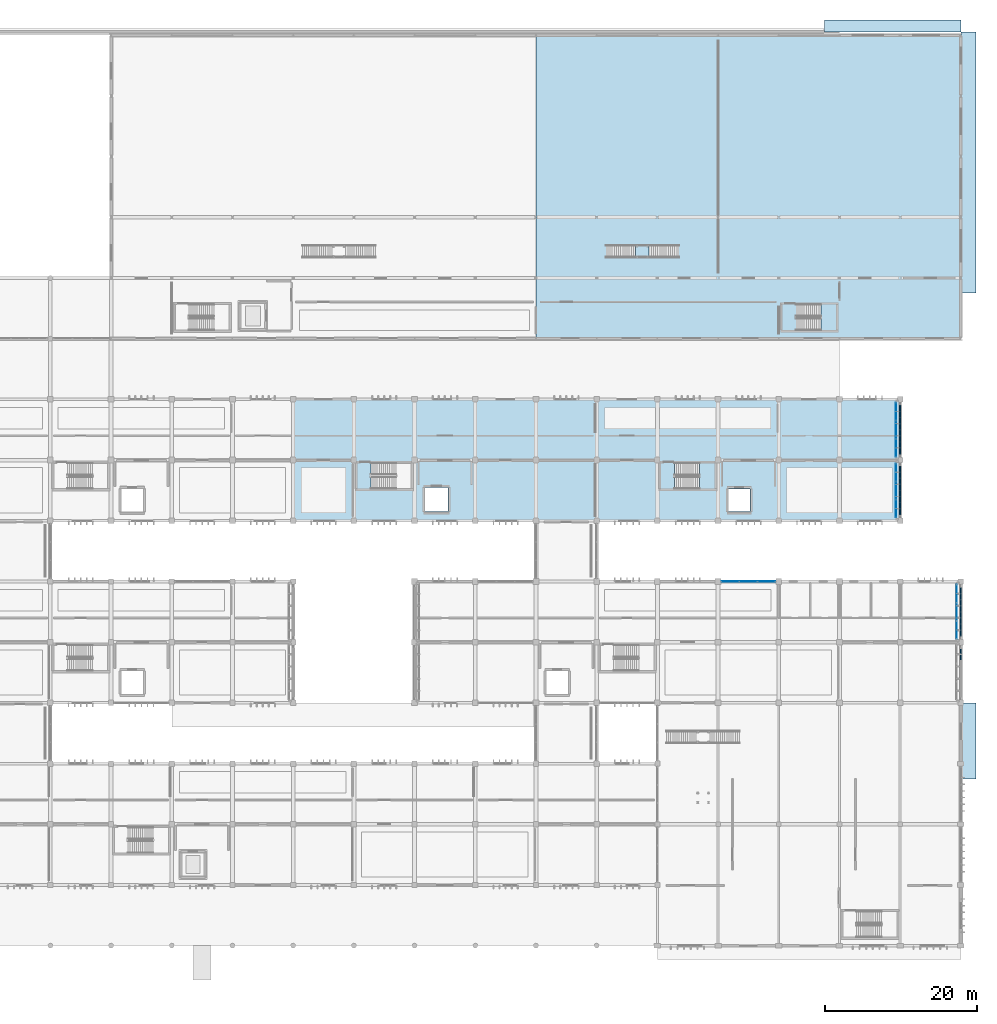
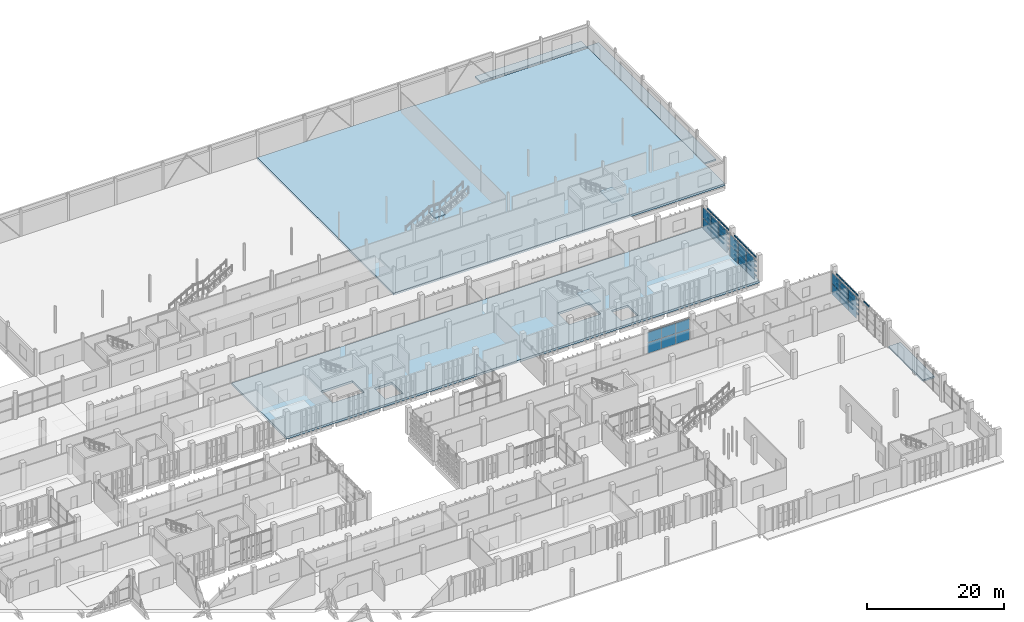
# One storey, part 81 of 117: 85 plates, 8 slabs, 7 elements without a shape of their own.
"""IFC4 building model written with IfcOpenShell, lengths in metres."""

from ifc_helpers import new_model, si_unit, direction, frame, origin, origin_2d, place, context, subcontext, project, spatial, polyline, rectangle, outline, extrude, material, layer, layer_set, type_object, element, aggregate, save


model = new_model("IFC4")

# Units and contexts
model_context = context("Model", 3, precision=1e-05, world=origin(), true_north=direction((0.0, 1.0)))
body_context = subcontext(model_context, "Body", "Model", "MODEL_VIEW")
ifc_project = project(units=[si_unit("LENGTHUNIT", "METRE"), si_unit("AREAUNIT", "SQUARE_METRE"), si_unit("VOLUMEUNIT", "CUBIC_METRE"), si_unit("PLANEANGLEUNIT", "RADIAN"), si_unit("MASSUNIT", "GRAM", prefix="KILO")], contexts=[model_context])

# Site, building, storey
site_placement = place(None, origin())
site = spatial("IfcSite", under=ifc_project, at=site_placement, CompositionType="ELEMENT")
building_placement = place(site_placement, origin())
building = spatial("IfcBuilding", under=site, at=building_placement, Name="Jelvoka-Kovrelna Polytechnic", CompositionType="ELEMENT")
storey_placement = place(building_placement, origin())
storey = spatial("IfcBuildingStorey", under=building, at=storey_placement, Name="L01", CompositionType="ELEMENT", Elevation=0.0)

# Curtain wall, plates
ifc_material_1 = material(Name="Anodised aluminium 6063-T6", Category="aluminium")
ifc_layer_1 = layer(ifc_material_1, 0.159912109375)
ifc_layer_set_1 = layer_set([ifc_layer_1], Name="Anodised aluminium 6063-T6")
curtain_wall_type_1 = type_object("IfcCurtainWallType", Name="CW_Recessed_A", PredefinedType="NOTDEFINED", material=ifc_layer_set_1)
curtain_wall_1_placement = place(storey_placement, origin())
curtain_wall_1 = element("IfcCurtainWall", 1, at=curtain_wall_1_placement, inside=storey, type_object=curtain_wall_type_1, Name="L01 glazed curtain wall 041", PredefinedType="NOTDEFINED")
ifc_material_2 = material(Name="Solar-control double glazing", Category="glass")
ifc_layer_2 = layer(ifc_material_2, 0.028076171875)
ifc_layer_set_2 = layer_set([ifc_layer_2], Name="Solar-control double glazing")
plate_type_1 = type_object("IfcPlateType", Name="Panel_GP-01", PredefinedType="CURTAIN_PANEL", material=ifc_layer_set_2)
plate_1_placement = place(storey_placement, frame((169.614990234375, 48.0, 0.052001953125), z_axis=(0.0, 0.0, 1.0), x_axis=(1.0, 0.0, 0.0)))
plate_1 = element("IfcPlate", 2, at=plate_1_placement, type_object=plate_type_1, Name="CW-01 panel 1.1", PredefinedType="CURTAIN_PANEL", context=body_context, shape_type="SweptSolid", body=[
    extrude(rectangle(XDim=2.326171875, YDim=0.028076171875, at=origin_2d()), origin(), (0.0, 0.0, 1.0), 1.881103515625),
])
plate_2_placement = place(storey_placement, frame((169.614990234375, 48.0, 1.976806640625), z_axis=(0.0, 0.0, 1.0), x_axis=(1.0, 0.0, 0.0)))
plate_2 = element("IfcPlate", 3, at=plate_2_placement, type_object=plate_type_1, Name="CW-01 panel 1.2", PredefinedType="CURTAIN_PANEL", context=body_context, shape_type="SweptSolid", body=[
    extrude(rectangle(XDim=2.326171875, YDim=0.028076171875, at=origin_2d()), origin(), (0.0, 0.0, 1.0), 1.881103515625),
])
plate_3_placement = place(storey_placement, frame((172.0, 48.0, 0.052001953125), z_axis=(0.0, 0.0, 1.0), x_axis=(1.0, 0.0, 0.0)))
plate_3 = element("IfcPlate", 4, at=plate_3_placement, type_object=plate_type_1, Name="CW-01 panel 2.1", PredefinedType="CURTAIN_PANEL", context=body_context, shape_type="SweptSolid", body=[
    extrude(rectangle(XDim=2.356201171875, YDim=0.028076171875, at=origin_2d()), origin(), (0.0, 0.0, 1.0), 1.881103515625),
])
plate_4_placement = place(storey_placement, frame((172.0, 48.0, 1.976806640625), z_axis=(0.0, 0.0, 1.0), x_axis=(1.0, 0.0, 0.0)))
plate_4 = element("IfcPlate", 5, at=plate_4_placement, type_object=plate_type_1, Name="CW-01 panel 2.2", PredefinedType="CURTAIN_PANEL", context=body_context, shape_type="SweptSolid", body=[
    extrude(rectangle(XDim=2.356201171875, YDim=0.028076171875, at=origin_2d()), origin(), (0.0, 0.0, 1.0), 1.881103515625),
])
plate_5_placement = place(storey_placement, frame((174.385009765625, 48.0, 0.052001953125), z_axis=(0.0, 0.0, 1.0), x_axis=(1.0, 0.0, 0.0)))
plate_5 = element("IfcPlate", 6, at=plate_5_placement, type_object=plate_type_1, Name="CW-01 panel 3.1", PredefinedType="CURTAIN_PANEL", context=body_context, shape_type="SweptSolid", body=[
    extrude(rectangle(XDim=2.326171875, YDim=0.028076171875, at=origin_2d()), origin(), (0.0, 0.0, 1.0), 1.881103515625),
])
plate_6_placement = place(storey_placement, frame((174.385009765625, 48.0, 1.976806640625), z_axis=(0.0, 0.0, 1.0), x_axis=(1.0, 0.0, 0.0)))
plate_6 = element("IfcPlate", 7, at=plate_6_placement, type_object=plate_type_1, Name="CW-01 panel 3.2", PredefinedType="CURTAIN_PANEL", context=body_context, shape_type="SweptSolid", body=[
    extrude(rectangle(XDim=2.326171875, YDim=0.028076171875, at=origin_2d()), origin(), (0.0, 0.0, 1.0), 1.881103515625),
])
aggregate(curtain_wall_1, [plate_1, plate_2, plate_3, plate_4, plate_5, plate_6])

curtain_wall_2_placement = place(storey_placement, origin())
curtain_wall_2 = element("IfcCurtainWall", 8, at=curtain_wall_2_placement, inside=storey, type_object=curtain_wall_type_1, Name="L01 glazed curtain wall 045", PredefinedType="NOTDEFINED")
plate_7_placement = place(storey_placement, frame((199.43994140625, 46.385009765625, 0.052001953125), z_axis=(0.0, 0.0, 1.0), x_axis=(0.0, -1.0, 0.0)))
plate_7 = element("IfcPlate", 9, at=plate_7_placement, type_object=plate_type_1, Name="CW-01 panel 1.1", PredefinedType="CURTAIN_PANEL", context=body_context, shape_type="SweptSolid", body=[
    extrude(rectangle(XDim=2.326171875, YDim=0.028076171875, at=origin_2d()), origin(), (0.0, 0.0, 1.0), 1.901123046875),
])
plate_8_placement = place(storey_placement, frame((199.43994140625, 46.385009765625, 1.996826171875), z_axis=(0.0, 0.0, 1.0), x_axis=(0.0, -1.0, 0.0)))
plate_8 = element("IfcPlate", 10, at=plate_8_placement, type_object=plate_type_1, Name="CW-01 panel 1.2", PredefinedType="CURTAIN_PANEL", context=body_context, shape_type="SweptSolid", body=[
    extrude(rectangle(XDim=2.326171875, YDim=0.028076171875, at=origin_2d()), origin(), (0.0, 0.0, 1.0), 1.901123046875),
])
plate_9_placement = place(storey_placement, frame((199.43994140625, 44.0, 0.052001953125), z_axis=(0.0, 0.0, 1.0), x_axis=(0.0, -1.0, 0.0)))
plate_9 = element("IfcPlate", 11, at=plate_9_placement, type_object=plate_type_1, Name="CW-01 panel 2.1", PredefinedType="CURTAIN_PANEL", context=body_context, shape_type="SweptSolid", body=[
    extrude(rectangle(XDim=2.356201171875, YDim=0.028076171875, at=origin_2d()), origin(), (0.0, 0.0, 1.0), 1.901123046875),
])
plate_10_placement = place(storey_placement, frame((199.43994140625, 44.0, 1.996826171875), z_axis=(0.0, 0.0, 1.0), x_axis=(0.0, -1.0, 0.0)))
plate_10 = element("IfcPlate", 12, at=plate_10_placement, type_object=plate_type_1, Name="CW-01 panel 2.2", PredefinedType="CURTAIN_PANEL", context=body_context, shape_type="SweptSolid", body=[
    extrude(rectangle(XDim=2.356201171875, YDim=0.028076171875, at=origin_2d()), origin(), (0.0, 0.0, 1.0), 1.901123046875),
])
plate_11_placement = place(storey_placement, frame((199.43994140625, 41.614990234375, 0.052001953125), z_axis=(0.0, 0.0, 1.0), x_axis=(0.0, -1.0, 0.0)))
plate_11 = element("IfcPlate", 13, at=plate_11_placement, type_object=plate_type_1, Name="CW-01 panel 3.1", PredefinedType="CURTAIN_PANEL", context=body_context, shape_type="SweptSolid", body=[
    extrude(rectangle(XDim=2.326171875, YDim=0.028076171875, at=origin_2d()), origin(), (0.0, 0.0, 1.0), 1.901123046875),
])
plate_12_placement = place(storey_placement, frame((199.43994140625, 41.614990234375, 1.996826171875), z_axis=(0.0, 0.0, 1.0), x_axis=(0.0, -1.0, 0.0)))
plate_12 = element("IfcPlate", 14, at=plate_12_placement, type_object=plate_type_1, Name="CW-01 panel 3.2", PredefinedType="CURTAIN_PANEL", context=body_context, shape_type="SweptSolid", body=[
    extrude(rectangle(XDim=2.326171875, YDim=0.028076171875, at=origin_2d()), origin(), (0.0, 0.0, 1.0), 1.901123046875),
])
aggregate(curtain_wall_2, [plate_7, plate_8, plate_9, plate_10, plate_11, plate_12])

ifc_material_3 = material(Name="Anodised aluminium 6063-T6", Category="aluminium")
ifc_layer_3 = layer(ifc_material_3, 0.179931640625)
ifc_layer_set_3 = layer_set([ifc_layer_3], Name="Anodised aluminium 6063-T6")
curtain_wall_type_2 = type_object("IfcCurtainWallType", Name="CW_Recessed_B", PredefinedType="NOTDEFINED", material=ifc_layer_set_3)
curtain_wall_3_placement = place(storey_placement, origin())
curtain_wall_3 = element("IfcCurtainWall", 15, at=curtain_wall_3_placement, inside=storey, type_object=curtain_wall_type_2, Name="L01 glazed curtain wall 081", PredefinedType="NOTDEFINED")
ifc_material_4 = material(Name="Solar-control double glazing", Category="glass")
ifc_layer_4 = layer(ifc_material_4, 0.031982421875)
ifc_layer_set_4 = layer_set([ifc_layer_4], Name="Solar-control double glazing")
plate_type_2 = type_object("IfcPlateType", Name="Panel_GP-02", PredefinedType="CURTAIN_PANEL", material=ifc_layer_set_4)
plate_13_placement = place(storey_placement, frame((191.43994140625, 62.3837890625, 0.056884765625), z_axis=(0.0, 0.0, 1.0), x_axis=(0.0, -1.0, 0.0)))
plate_13 = element("IfcPlate", 16, at=plate_13_placement, type_object=plate_type_2, Name="CW-02 panel 1.1", PredefinedType="CURTAIN_PANEL", context=body_context, shape_type="SweptSolid", body=[
    extrude(rectangle(XDim=2.318603515625, YDim=0.031982421875, at=origin_2d()), origin(), (0.0, 0.0, 1.0), 1.8935546875),
])
plate_14_placement = place(storey_placement, frame((191.43994140625, 62.3837890625, 1.99951171875), z_axis=(0.0, 0.0, 1.0), x_axis=(0.0, -1.0, 0.0)))
plate_14 = element("IfcPlate", 17, at=plate_14_placement, type_object=plate_type_2, Name="CW-02 panel 1.2", PredefinedType="CURTAIN_PANEL", context=body_context, shape_type="SweptSolid", body=[
    extrude(rectangle(XDim=2.318603515625, YDim=0.031982421875, at=origin_2d()), origin(), (0.0, 0.0, 1.0), 1.8935546875),
])
plate_15_placement = place(storey_placement, frame((191.43994140625, 60.0, 0.056884765625), z_axis=(0.0, 0.0, 1.0), x_axis=(0.0, -1.0, 0.0)))
plate_15 = element("IfcPlate", 18, at=plate_15_placement, type_object=plate_type_2, Name="CW-02 panel 2.1", PredefinedType="CURTAIN_PANEL", context=body_context, shape_type="SweptSolid", body=[
    extrude(rectangle(XDim=2.35107421875, YDim=0.031982421875, at=origin_2d()), origin(), (0.0, 0.0, 1.0), 1.8935546875),
])
plate_16_placement = place(storey_placement, frame((191.43994140625, 60.0, 1.99951171875), z_axis=(0.0, 0.0, 1.0), x_axis=(0.0, -1.0, 0.0)))
plate_16 = element("IfcPlate", 19, at=plate_16_placement, type_object=plate_type_2, Name="CW-02 panel 2.2", PredefinedType="CURTAIN_PANEL", context=body_context, shape_type="SweptSolid", body=[
    extrude(rectangle(XDim=2.35107421875, YDim=0.031982421875, at=origin_2d()), origin(), (0.0, 0.0, 1.0), 1.8935546875),
])
plate_17_placement = place(storey_placement, frame((191.43994140625, 57.6162109375, 0.056884765625), z_axis=(0.0, 0.0, 1.0), x_axis=(0.0, -1.0, 0.0)))
plate_17 = element("IfcPlate", 20, at=plate_17_placement, type_object=plate_type_2, Name="CW-02 panel 3.1", PredefinedType="CURTAIN_PANEL", context=body_context, shape_type="SweptSolid", body=[
    extrude(rectangle(XDim=2.318603515625, YDim=0.031982421875, at=origin_2d()), origin(), (0.0, 0.0, 1.0), 1.8935546875),
])
plate_18_placement = place(storey_placement, frame((191.43994140625, 57.6162109375, 1.99951171875), z_axis=(0.0, 0.0, 1.0), x_axis=(0.0, -1.0, 0.0)))
plate_18 = element("IfcPlate", 21, at=plate_18_placement, type_object=plate_type_2, Name="CW-02 panel 3.2", PredefinedType="CURTAIN_PANEL", context=body_context, shape_type="SweptSolid", body=[
    extrude(rectangle(XDim=2.318603515625, YDim=0.031982421875, at=origin_2d()), origin(), (0.0, 0.0, 1.0), 1.8935546875),
])
aggregate(curtain_wall_3, [plate_13, plate_14, plate_15, plate_16, plate_17, plate_18])

curtain_wall_4_placement = place(storey_placement, origin())
curtain_wall_4 = element("IfcCurtainWall", 22, at=curtain_wall_4_placement, inside=storey, type_object=curtain_wall_type_2, Name="L01 glazed curtain wall 082", PredefinedType="NOTDEFINED")
plate_19_placement = place(storey_placement, frame((191.43994140625, 70.3837890625, 0.056884765625), z_axis=(0.0, 0.0, 1.0), x_axis=(0.0, -1.0, 0.0)))
plate_19 = element("IfcPlate", 23, at=plate_19_placement, type_object=plate_type_2, Name="CW-02 panel 1.1", PredefinedType="CURTAIN_PANEL", context=body_context, shape_type="SweptSolid", body=[
    extrude(rectangle(XDim=2.318603515625, YDim=0.031982421875, at=origin_2d()), origin(), (0.0, 0.0, 1.0), 1.8935546875),
])
plate_20_placement = place(storey_placement, frame((191.43994140625, 70.3837890625, 1.99951171875), z_axis=(0.0, 0.0, 1.0), x_axis=(0.0, -1.0, 0.0)))
plate_20 = element("IfcPlate", 24, at=plate_20_placement, type_object=plate_type_2, Name="CW-02 panel 1.2", PredefinedType="CURTAIN_PANEL", context=body_context, shape_type="SweptSolid", body=[
    extrude(rectangle(XDim=2.318603515625, YDim=0.031982421875, at=origin_2d()), origin(), (0.0, 0.0, 1.0), 1.8935546875),
])
plate_21_placement = place(storey_placement, frame((191.43994140625, 68.0, 0.056884765625), z_axis=(0.0, 0.0, 1.0), x_axis=(0.0, -1.0, 0.0)))
plate_21 = element("IfcPlate", 25, at=plate_21_placement, type_object=plate_type_2, Name="CW-02 panel 2.1", PredefinedType="CURTAIN_PANEL", context=body_context, shape_type="SweptSolid", body=[
    extrude(rectangle(XDim=2.35107421875, YDim=0.031982421875, at=origin_2d()), origin(), (0.0, 0.0, 1.0), 1.8935546875),
])
plate_22_placement = place(storey_placement, frame((191.43994140625, 68.0, 1.99951171875), z_axis=(0.0, 0.0, 1.0), x_axis=(0.0, -1.0, 0.0)))
plate_22 = element("IfcPlate", 26, at=plate_22_placement, type_object=plate_type_2, Name="CW-02 panel 2.2", PredefinedType="CURTAIN_PANEL", context=body_context, shape_type="SweptSolid", body=[
    extrude(rectangle(XDim=2.35107421875, YDim=0.031982421875, at=origin_2d()), origin(), (0.0, 0.0, 1.0), 1.8935546875),
])
plate_23_placement = place(storey_placement, frame((191.43994140625, 65.6162109375, 0.056884765625), z_axis=(0.0, 0.0, 1.0), x_axis=(0.0, -1.0, 0.0)))
plate_23 = element("IfcPlate", 27, at=plate_23_placement, type_object=plate_type_2, Name="CW-02 panel 3.1", PredefinedType="CURTAIN_PANEL", context=body_context, shape_type="SweptSolid", body=[
    extrude(rectangle(XDim=2.318603515625, YDim=0.031982421875, at=origin_2d()), origin(), (0.0, 0.0, 1.0), 1.8935546875),
])
plate_24_placement = place(storey_placement, frame((191.43994140625, 65.6162109375, 1.99951171875), z_axis=(0.0, 0.0, 1.0), x_axis=(0.0, -1.0, 0.0)))
plate_24 = element("IfcPlate", 28, at=plate_24_placement, type_object=plate_type_2, Name="CW-02 panel 3.2", PredefinedType="CURTAIN_PANEL", context=body_context, shape_type="SweptSolid", body=[
    extrude(rectangle(XDim=2.318603515625, YDim=0.031982421875, at=origin_2d()), origin(), (0.0, 0.0, 1.0), 1.8935546875),
])
aggregate(curtain_wall_4, [plate_19, plate_20, plate_21, plate_22, plate_23, plate_24])

# Plates
ifc_material_5 = material(Name="Perforated fired terracotta block", Category="masonry")
ifc_layer_5 = layer(ifc_material_5, 0.159912109375)
ifc_layer_set_5 = layer_set([ifc_layer_5], Name="Perforated fired terracotta block")
plate_type_3 = type_object("IfcPlateType", Name="Screen_Terracotta_TP01", PredefinedType="USERDEFINED", material=ifc_layer_set_5)
for number, where, z_axis, x_axis, name in (
    (29, (199.97998046875, 38.39990234375, 3.56982421875), (0.0, 0.0, 1.0), (0.0, 1.0, 0.0), "L01 perforated terracotta lattice band 0480"),
    (30, (199.97998046875, 41.60009765625, 0.2001953125), (0.0, 0.0, 1.0), (0.0, 1.0, 0.0), "L01 perforated terracotta lattice band 0481"),
    (31, (199.97998046875, 41.60009765625, 1.04248046875), (0.0, 0.0, 1.0), (0.0, 1.0, 0.0), "L01 perforated terracotta lattice band 0482"),
    (32, (199.97998046875, 41.60009765625, 1.884765625), (0.0, 0.0, 1.0), (0.0, 1.0, 0.0), "L01 perforated terracotta lattice band 0483"),
    (33, (199.97998046875, 41.60009765625, 2.7275390625), (0.0, 0.0, 1.0), (0.0, 1.0, 0.0), "L01 perforated terracotta lattice band 0484"),
    (34, (199.97998046875, 41.60009765625, 3.56982421875), (0.0, 0.0, 1.0), (0.0, 1.0, 0.0), "L01 perforated terracotta lattice band 0485"),
    (35, (199.97998046875, 43.199951171875, 0.2001953125), (0.0, 0.0, 1.0), (0.0, 1.0, 0.0), "L01 perforated terracotta lattice band 0486"),
    (36, (199.97998046875, 43.199951171875, 1.04248046875), (0.0, 0.0, 1.0), (0.0, 1.0, 0.0), "L01 perforated terracotta lattice band 0487"),
    (37, (199.97998046875, 43.199951171875, 1.884765625), (0.0, 0.0, 1.0), (0.0, 1.0, 0.0), "L01 perforated terracotta lattice band 0488"),
    (38, (199.97998046875, 43.199951171875, 2.7275390625), (0.0, 0.0, 1.0), (0.0, 1.0, 0.0), "L01 perforated terracotta lattice band 0489"),
    (39, (199.97998046875, 43.199951171875, 3.56982421875), (0.0, 0.0, 1.0), (0.0, 1.0, 0.0), "L01 perforated terracotta lattice band 0490"),
    (40, (199.97998046875, 44.800048828125, 0.2001953125), (0.0, 0.0, 1.0), (0.0, 1.0, 0.0), "L01 perforated terracotta lattice band 0491"),
    (41, (199.97998046875, 44.800048828125, 1.04248046875), (0.0, 0.0, 1.0), (0.0, 1.0, 0.0), "L01 perforated terracotta lattice band 0492"),
    (42, (199.97998046875, 44.800048828125, 1.884765625), (0.0, 0.0, 1.0), (0.0, 1.0, 0.0), "L01 perforated terracotta lattice band 0493"),
    (43, (199.97998046875, 44.800048828125, 2.7275390625), (0.0, 0.0, 1.0), (0.0, 1.0, 0.0), "L01 perforated terracotta lattice band 0494"),
    (44, (199.97998046875, 44.800048828125, 3.56982421875), (0.0, 0.0, 1.0), (0.0, 1.0, 0.0), "L01 perforated terracotta lattice band 0495"),
    (45, (199.97998046875, 46.39990234375, 0.2001953125), (0.0, 0.0, 1.0), (0.0, 1.0, 0.0), "L01 perforated terracotta lattice band 0496"),
    (46, (199.97998046875, 46.39990234375, 1.04248046875), (0.0, 0.0, 1.0), (0.0, 1.0, 0.0), "L01 perforated terracotta lattice band 0497"),
    (47, (199.97998046875, 46.39990234375, 1.884765625), (0.0, 0.0, 1.0), (0.0, 1.0, 0.0), "L01 perforated terracotta lattice band 0498"),
    (48, (199.97998046875, 46.39990234375, 2.7275390625), (0.0, 0.0, 1.0), (0.0, 1.0, 0.0), "L01 perforated terracotta lattice band 0499"),
    (49, (199.97998046875, 46.39990234375, 3.56982421875), (0.0, 0.0, 1.0), (0.0, 1.0, 0.0), "L01 perforated terracotta lattice band 0500"),
):
    element("IfcPlate", number, at=place(storey_placement, frame(where, z_axis=z_axis, x_axis=x_axis)), inside=storey, type_object=plate_type_3, Name=name, ObjectType="SCREEN PANEL", PredefinedType="USERDEFINED", context=body_context, shape_type="SweptSolid", body=[
        extrude(rectangle(XDim=1.60009765625, YDim=0.159912109375, at=origin_2d()), origin(), (0.0, 0.0, 1.0), 0.239990234375),
    ])
ifc_material_6 = material(Name="Perforated fired terracotta block", Category="masonry")
ifc_layer_6 = layer(ifc_material_6, 0.179931640625)
ifc_layer_set_6 = layer_set([ifc_layer_6], Name="Perforated fired terracotta block")
plate_type_4 = type_object("IfcPlateType", Name="Screen_Terracotta_TP02", PredefinedType="USERDEFINED", material=ifc_layer_set_6)
for number, where, z_axis, x_axis, name in (
    (50, (191.97998046875, 57.60009765625, 0.2001953125), (0.0, 0.0, 1.0), (0.0, 1.0, 0.0), "L01 perforated terracotta lattice band 0961"),
    (51, (191.97998046875, 57.60009765625, 1.04248046875), (0.0, 0.0, 1.0), (0.0, 1.0, 0.0), "L01 perforated terracotta lattice band 0962"),
    (52, (191.97998046875, 57.60009765625, 1.884765625), (0.0, 0.0, 1.0), (0.0, 1.0, 0.0), "L01 perforated terracotta lattice band 0963"),
    (53, (191.97998046875, 57.60009765625, 2.7275390625), (0.0, 0.0, 1.0), (0.0, 1.0, 0.0), "L01 perforated terracotta lattice band 0964"),
    (54, (191.97998046875, 57.60009765625, 3.56982421875), (0.0, 0.0, 1.0), (0.0, 1.0, 0.0), "L01 perforated terracotta lattice band 0965"),
    (55, (191.97998046875, 59.199951171875, 0.2001953125), (0.0, 0.0, 1.0), (0.0, 1.0, 0.0), "L01 perforated terracotta lattice band 0966"),
    (56, (191.97998046875, 59.199951171875, 1.04248046875), (0.0, 0.0, 1.0), (0.0, 1.0, 0.0), "L01 perforated terracotta lattice band 0967"),
    (57, (191.97998046875, 59.199951171875, 1.884765625), (0.0, 0.0, 1.0), (0.0, 1.0, 0.0), "L01 perforated terracotta lattice band 0968"),
    (58, (191.97998046875, 59.199951171875, 2.7275390625), (0.0, 0.0, 1.0), (0.0, 1.0, 0.0), "L01 perforated terracotta lattice band 0969"),
    (59, (191.97998046875, 59.199951171875, 3.56982421875), (0.0, 0.0, 1.0), (0.0, 1.0, 0.0), "L01 perforated terracotta lattice band 0970"),
    (60, (191.97998046875, 60.800048828125, 0.2001953125), (0.0, 0.0, 1.0), (0.0, 1.0, 0.0), "L01 perforated terracotta lattice band 0971"),
    (61, (191.97998046875, 60.800048828125, 1.04248046875), (0.0, 0.0, 1.0), (0.0, 1.0, 0.0), "L01 perforated terracotta lattice band 0972"),
    (62, (191.97998046875, 60.800048828125, 1.884765625), (0.0, 0.0, 1.0), (0.0, 1.0, 0.0), "L01 perforated terracotta lattice band 0973"),
    (63, (191.97998046875, 60.800048828125, 2.7275390625), (0.0, 0.0, 1.0), (0.0, 1.0, 0.0), "L01 perforated terracotta lattice band 0974"),
    (64, (191.97998046875, 60.800048828125, 3.56982421875), (0.0, 0.0, 1.0), (0.0, 1.0, 0.0), "L01 perforated terracotta lattice band 0975"),
    (65, (191.97998046875, 62.39990234375, 0.2001953125), (0.0, 0.0, 1.0), (0.0, 1.0, 0.0), "L01 perforated terracotta lattice band 0976"),
    (66, (191.97998046875, 62.39990234375, 1.04248046875), (0.0, 0.0, 1.0), (0.0, 1.0, 0.0), "L01 perforated terracotta lattice band 0977"),
    (67, (191.97998046875, 62.39990234375, 1.884765625), (0.0, 0.0, 1.0), (0.0, 1.0, 0.0), "L01 perforated terracotta lattice band 0978"),
    (68, (191.97998046875, 62.39990234375, 2.7275390625), (0.0, 0.0, 1.0), (0.0, 1.0, 0.0), "L01 perforated terracotta lattice band 0979"),
    (69, (191.97998046875, 62.39990234375, 3.56982421875), (0.0, 0.0, 1.0), (0.0, 1.0, 0.0), "L01 perforated terracotta lattice band 0980"),
    (70, (191.97998046875, 65.60009765625, 0.2001953125), (0.0, 0.0, 1.0), (0.0, 1.0, 0.0), "L01 perforated terracotta lattice band 0981"),
    (71, (191.97998046875, 65.60009765625, 1.04248046875), (0.0, 0.0, 1.0), (0.0, 1.0, 0.0), "L01 perforated terracotta lattice band 0982"),
    (72, (191.97998046875, 65.60009765625, 1.884765625), (0.0, 0.0, 1.0), (0.0, 1.0, 0.0), "L01 perforated terracotta lattice band 0983"),
    (73, (191.97998046875, 65.60009765625, 2.7275390625), (0.0, 0.0, 1.0), (0.0, 1.0, 0.0), "L01 perforated terracotta lattice band 0984"),
    (74, (191.97998046875, 65.60009765625, 3.56982421875), (0.0, 0.0, 1.0), (0.0, 1.0, 0.0), "L01 perforated terracotta lattice band 0985"),
    (75, (191.97998046875, 67.199951171875, 0.2001953125), (0.0, 0.0, 1.0), (0.0, 1.0, 0.0), "L01 perforated terracotta lattice band 0986"),
    (76, (191.97998046875, 67.199951171875, 1.04248046875), (0.0, 0.0, 1.0), (0.0, 1.0, 0.0), "L01 perforated terracotta lattice band 0987"),
    (77, (191.97998046875, 67.199951171875, 1.884765625), (0.0, 0.0, 1.0), (0.0, 1.0, 0.0), "L01 perforated terracotta lattice band 0988"),
    (78, (191.97998046875, 67.199951171875, 2.7275390625), (0.0, 0.0, 1.0), (0.0, 1.0, 0.0), "L01 perforated terracotta lattice band 0989"),
    (79, (191.97998046875, 67.199951171875, 3.56982421875), (0.0, 0.0, 1.0), (0.0, 1.0, 0.0), "L01 perforated terracotta lattice band 0990"),
    (80, (191.97998046875, 68.800048828125, 0.2001953125), (0.0, 0.0, 1.0), (0.0, 1.0, 0.0), "L01 perforated terracotta lattice band 0991"),
    (81, (191.97998046875, 68.800048828125, 1.04248046875), (0.0, 0.0, 1.0), (0.0, 1.0, 0.0), "L01 perforated terracotta lattice band 0992"),
    (82, (191.97998046875, 68.800048828125, 1.884765625), (0.0, 0.0, 1.0), (0.0, 1.0, 0.0), "L01 perforated terracotta lattice band 0993"),
    (83, (191.97998046875, 68.800048828125, 2.7275390625), (0.0, 0.0, 1.0), (0.0, 1.0, 0.0), "L01 perforated terracotta lattice band 0994"),
    (84, (191.97998046875, 68.800048828125, 3.56982421875), (0.0, 0.0, 1.0), (0.0, 1.0, 0.0), "L01 perforated terracotta lattice band 0995"),
    (85, (191.97998046875, 70.39990234375, 0.2001953125), (0.0, 0.0, 1.0), (0.0, 1.0, 0.0), "L01 perforated terracotta lattice band 0996"),
    (86, (191.97998046875, 70.39990234375, 1.04248046875), (0.0, 0.0, 1.0), (0.0, 1.0, 0.0), "L01 perforated terracotta lattice band 0997"),
    (87, (191.97998046875, 70.39990234375, 1.884765625), (0.0, 0.0, 1.0), (0.0, 1.0, 0.0), "L01 perforated terracotta lattice band 0998"),
    (88, (191.97998046875, 70.39990234375, 2.7275390625), (0.0, 0.0, 1.0), (0.0, 1.0, 0.0), "L01 perforated terracotta lattice band 0999"),
    (89, (191.97998046875, 70.39990234375, 3.56982421875), (0.0, 0.0, 1.0), (0.0, 1.0, 0.0), "L01 perforated terracotta lattice band 1000"),
):
    element("IfcPlate", number, at=place(storey_placement, frame(where, z_axis=z_axis, x_axis=x_axis)), inside=storey, type_object=plate_type_4, Name=name, ObjectType="SCREEN PANEL", PredefinedType="USERDEFINED", context=body_context, shape_type="SweptSolid", body=[
        extrude(rectangle(XDim=1.60009765625, YDim=0.179931640625, at=origin_2d()), origin(), (0.0, 0.0, 1.0), 0.239990234375),
    ])

# Slabs
ifc_material_7 = material(Name="Concrete C35/45", Category="concrete")
ifc_layer_7 = layer(ifc_material_7, 0.280029296875)
ifc_layer_set_7 = layer_set([ifc_layer_7], Name="Concrete C35/45")
slab_type_1 = type_object("IfcSlabType", Name="Slab_Base_280", PredefinedType="BASESLAB", material=ifc_layer_set_7)
slab_1_placement = place(storey_placement, frame((0.0, 0.0, -0.280029296875)))
element("IfcSlab", 90, at=slab_1_placement, inside=storey, type_object=slab_type_1, Name="L01 east refectory entrance terrace apron", PredefinedType="BASESLAB", context=body_context, shape_type="SweptSolid", body=[
    extrude(outline(polyline([(200.0, 22.0), (202.0, 22.0), (202.0, 32.0), (200.0, 32.0), (200.0, 22.0)])), origin(), (0.0, 0.0, 1.0), 0.280029296875),
])
slab_2_placement = place(storey_placement, frame((0.0, 0.0, -0.280029296875)))
element("IfcSlab", 91, at=slab_2_placement, inside=storey, type_object=slab_type_1, Name="L01 east workshop loading bay concrete apron", PredefinedType="BASESLAB", context=body_context, shape_type="SweptSolid", body=[
    extrude(outline(polyline([(200.0, 86.0), (202.0, 86.0), (202.0, 120.449951171875), (200.0, 120.449951171875), (200.0, 86.0)])), origin(), (0.0, 0.0, 1.0), 0.280029296875),
])
slab_3_placement = place(storey_placement, frame((0.0, 0.0, -0.280029296875)))
element("IfcSlab", 92, at=slab_3_placement, inside=storey, type_object=slab_type_1, Name="L01 north kovrelna service gateway apron", PredefinedType="BASESLAB", context=body_context, shape_type="SweptSolid", body=[
    extrude(outline(polyline([(182.0, 120.449951171875), (200.0, 120.449951171875), (200.0, 122.0), (182.0, 122.0), (182.0, 120.449951171875)])), origin(), (0.0, 0.0, 1.0), 0.280029296875),
])
ifc_material_8 = material(Name="Concrete C35/45", Category="concrete")
ifc_layer_8 = layer(ifc_material_8, 0.405029296875)
ifc_layer_set_8 = layer_set([ifc_layer_8], Name="Concrete C35/45")
slab_type_2 = type_object("IfcSlabType", Name="Slab_Base_400", PredefinedType="BASESLAB", material=ifc_layer_set_8)
slab_4_placement = place(storey_placement, frame((0.0, 0.0, -0.405029296875)))
element("IfcSlab", 93, at=slab_4_placement, inside=storey, type_object=slab_type_2, Name="L01 V1E structural slab", PredefinedType="BASESLAB", context=body_context, shape_type="SweptSolid", body=[
    extrude(outline(polyline([(144.0, 80.0), (200.0, 80.0), (200.0, 120.0), (144.0, 120.0), (144.0, 80.0)])), origin(), (0.0, 0.0, 1.0), 0.405029296875),
])
slab_5_placement = place(storey_placement, frame((0.0, 0.0, -0.405029296875)))
element("IfcSlab", 94, at=slab_5_placement, inside=storey, type_object=slab_type_2, Name="L01 B3E structural slab", PredefinedType="BASESLAB", context=body_context, shape_type="SweptSolid", body=[
    extrude(outline(polyline([(112.0, 56.0), (192.0, 56.0), (192.0, 72.0), (112.0, 72.0), (112.0, 56.0)]), holes=[polyline([(169.39990234375, 57.199951171875), (172.199951171875, 57.199951171875), (172.199951171875, 60.199951171875), (169.39990234375, 60.199951171875), (169.39990234375, 57.199951171875)]), polyline([(129.39990234375, 57.199951171875), (132.39990234375, 57.199951171875), (132.39990234375, 60.39990234375), (129.39990234375, 60.39990234375), (129.39990234375, 57.199951171875)]), polyline([(162.264892578125, 60.199951171875), (167.60009765625, 60.199951171875), (167.60009765625, 63.639892578125), (162.264892578125, 63.639892578125), (162.264892578125, 60.199951171875)]), polyline([(122.264892578125, 60.199951171875), (127.60009765625, 60.199951171875), (127.60009765625, 63.639892578125), (122.264892578125, 63.639892578125), (122.264892578125, 60.199951171875)])]), origin(), (0.0, 0.0, 1.0), 0.405029296875),
])

# Stair, slab
ifc_material_9 = material(Name="Concrete C35/45", Category="concrete")
stair_type_1 = type_object("IfcStairType", Name="Stair_Dogleg_1620", PredefinedType="TWO_STRAIGHT_RUN_STAIR", material=ifc_material_9)
stair_1_placement = place(storey_placement, origin())
stair_1 = element("IfcStair", 95, at=stair_1_placement, inside=storey, type_object=stair_type_1, Name="L01 ST02", PredefinedType="TWO_STRAIGHT_RUN_STAIR")
ifc_material_10 = material(Name="Concrete C35/45", Category="concrete")
ifc_layer_9 = layer(ifc_material_10, 0.199951171875)
ifc_layer_set_9 = layer_set([ifc_layer_9], Name="Concrete C35/45")
slab_type_3 = type_object("IfcSlabType", Name="Slab_Stair_Landing_200", PredefinedType="LANDING", material=ifc_layer_set_9)
slab_6_placement = place(storey_placement, frame((0.0, 0.0, 2.199951171875)))
slab_6 = element("IfcSlab", 96, at=slab_6_placement, type_object=slab_type_3, Name="ST02 landing 1", PredefinedType="LANDING", context=body_context, shape_type="SweptSolid", body=[
    extrude(outline(polyline([(181.550048828125, 81.10009765625), (183.60009765625, 81.10009765625), (183.60009765625, 84.5400390625), (181.550048828125, 84.5400390625), (181.550048828125, 81.10009765625)])), origin(), (0.0, 0.0, 1.0), 0.199951171875),
])
aggregate(stair_1, [slab_6])

stair_2_placement = place(storey_placement, origin())
stair_2 = element("IfcStair", 97, at=stair_2_placement, inside=storey, type_object=stair_type_1, Name="L01 ST10", PredefinedType="TWO_STRAIGHT_RUN_STAIR")
slab_7_placement = place(storey_placement, frame((0.0, 0.0, 2.199951171875)))
slab_7 = element("IfcSlab", 98, at=slab_7_placement, type_object=slab_type_3, Name="ST10 landing 1", PredefinedType="LANDING", context=body_context, shape_type="SweptSolid", body=[
    extrude(outline(polyline([(165.550048828125, 60.199951171875), (167.60009765625, 60.199951171875), (167.60009765625, 63.639892578125), (165.550048828125, 63.639892578125), (165.550048828125, 60.199951171875)])), origin(), (0.0, 0.0, 1.0), 0.199951171875),
])
aggregate(stair_2, [slab_7])

ifc_material_11 = material(Name="Concrete C35/45", Category="concrete")
stair_type_2 = type_object("IfcStairType", Name="Stair_Straight_1650", PredefinedType="STRAIGHT_RUN_STAIR", material=ifc_material_11)
stair_3_placement = place(storey_placement, origin())
stair_3 = element("IfcStair", 99, at=stair_3_placement, inside=storey, type_object=stair_type_2, Name="L01 straight feature stair ST13", PredefinedType="STRAIGHT_RUN_STAIR")
slab_8_placement = place(storey_placement, frame((0.0, 0.0, 2.199951171875)))
slab_8 = element("IfcSlab", 100, at=slab_8_placement, type_object=slab_type_3, Name="ST13 landing 1", PredefinedType="LANDING", context=body_context, shape_type="SweptSolid", body=[
    extrude(outline(polyline([(157.1201171875, 90.675048828125), (158.919921875, 90.675048828125), (158.919921875, 92.324951171875), (157.1201171875, 92.324951171875), (157.1201171875, 90.675048828125)])), origin(), (0.0, 0.0, 1.0), 0.199951171875),
])
aggregate(stair_3, [slab_8])

save(model, "model.ifc")
